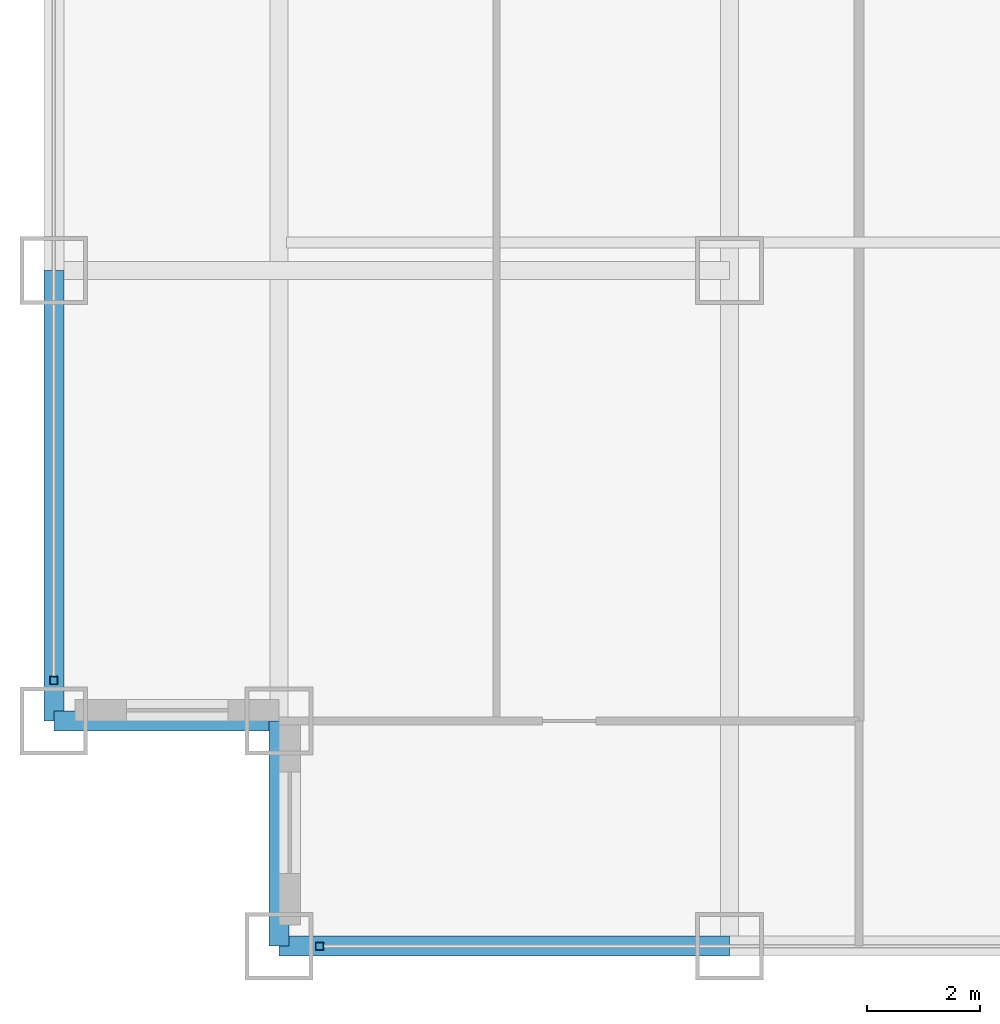
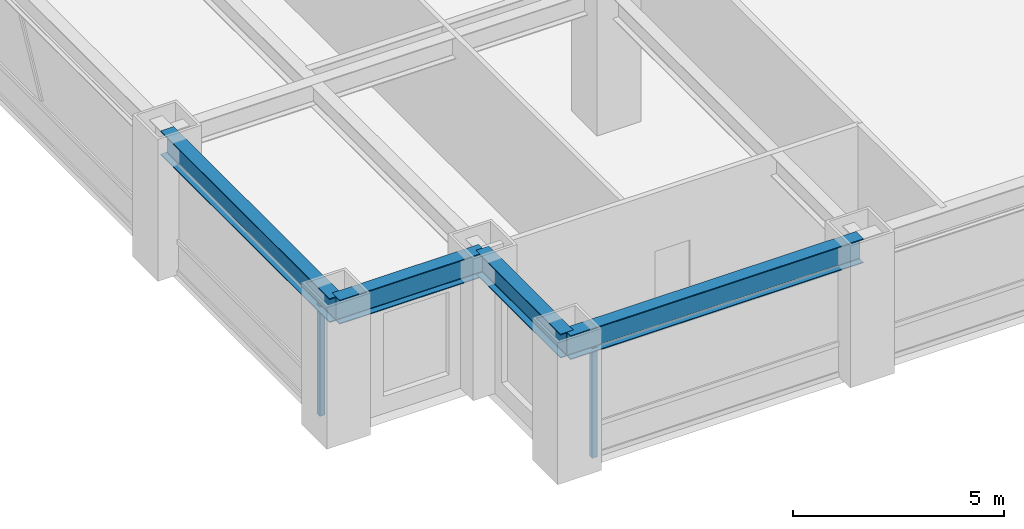
# One storey, part 2 of 27: 4 beams, 2 members, 2 elements without a shape of their own.
"""IFC4 building model written with IfcOpenShell, lengths in metres."""

from ifc_helpers import new_model, si_unit, direction, frame, origin, origin_2d, place, context, subcontext, project, spatial, hollow_rectangle, i_section, extrude, source, transform, mapped, material, material_profile, profile_set, type_object, element, aggregate, save


model = new_model("IFC4")

# Units and contexts
model_context = context("Model", 3, precision=1e-05, world=origin(), true_north=direction((0.0, 1.0)))
body_context = subcontext(model_context, "Body", "Model", "MODEL_VIEW")
ifc_project = project(units=[si_unit("LENGTHUNIT", "METRE"), si_unit("AREAUNIT", "SQUARE_METRE"), si_unit("VOLUMEUNIT", "CUBIC_METRE"), si_unit("PLANEANGLEUNIT", "RADIAN"), si_unit("MASSUNIT", "GRAM", prefix="KILO")], contexts=[model_context])

# Site, building, storey
site_placement = place(None, origin())
site = spatial("IfcSite", under=ifc_project, at=site_placement, CompositionType="ELEMENT")
building_placement = place(site_placement, origin())
building = spatial("IfcBuilding", under=site, at=building_placement, Name="Khorayat Bourse Tower", CompositionType="ELEMENT")
storey_placement = place(building_placement, frame((0.0, 0.0, 103.699951171875)))
storey = spatial("IfcBuildingStorey", under=building, at=storey_placement, Name="L23", CompositionType="ELEMENT", Elevation=103.699951171875)

# Beams
ifc_material_1 = material(Name="Steel ASTM A992 Grade 50", Category="steel")
ifc_material_profile_1 = material_profile(ifc_material_1, i_section(OverallWidth=0.35498046875, OverallDepth=0.695068359375, WebThickness=0.015380859375, FlangeThickness=0.02490234375, FilletRadius=0.01806640625, at=origin_2d()), Name="W690X217")
ifc_profile_set_1 = profile_set([ifc_material_profile_1], Name="Steel ASTM A992 Grade 50")
beam_type = type_object("IfcBeamType", Name="BM-SPAN-690", PredefinedType="SPANDREL", material=ifc_profile_set_1)
shared_shape_1 = source(origin(), body_context, "Body", "SweptSolid", [
    extrude(i_section(OverallWidth=0.35498046875, OverallDepth=0.695068359375, WebThickness=0.015380859375, FlangeThickness=0.02490234375, FilletRadius=0.01806640625, at=origin_2d()), origin(), (0.0, 0.0, 1.0), 8.0),
])
for number, where, z_axis, x_axis, name in (
    (1, (-28.0, -32.0, 3.492431640625), (1.0, 0.0, 0.0), (0.0, 1.0, 0.0), "L23 BM-SPAN-690 BM-L23-SPN-024"),
    (2, (-32.0, -28.0, 3.492431640625), (0.0, 1.0, 0.0), (-1.0, 0.0, 0.0), "L23 BM-SPAN-690 BM-L23-SPN-061"),
):
    element("IfcBeam", number, at=place(storey_placement, frame(where, z_axis=z_axis, x_axis=x_axis)), inside=storey, type_object=beam_type, Name=name, PredefinedType="SPANDREL", context=body_context, shape_type="MappedRepresentation", body=[
        mapped(shared_shape_1, transform((0.0, 0.0, 0.0), scale=1.0)),
    ])
shared_shape_2 = source(origin(), body_context, "Body", "SweptSolid", [
    extrude(i_section(OverallWidth=0.35498046875, OverallDepth=0.695068359375, WebThickness=0.015380859375, FlangeThickness=0.02490234375, FilletRadius=0.01806640625, at=origin_2d()), origin(), (0.0, 0.0, 1.0), 4.0),
])
for number, where, z_axis, x_axis, name in (
    (3, (-32.0, -28.0, 3.492431640625), (1.0, 0.0, 0.0), (0.0, 1.0, 0.0), "L23 BM-SPAN-690 BM-L23-SPN-062"),
    (4, (-28.0, -32.0, 3.492431640625), (0.0, 1.0, 0.0), (-1.0, 0.0, 0.0), "L23 BM-SPAN-690 BM-L23-SPN-063"),
):
    element("IfcBeam", number, at=place(storey_placement, frame(where, z_axis=z_axis, x_axis=x_axis)), inside=storey, type_object=beam_type, Name=name, PredefinedType="SPANDREL", context=body_context, shape_type="MappedRepresentation", body=[
        mapped(shared_shape_2, transform((0.0, 0.0, 0.0), scale=1.0)),
    ])

# Curtain wall, member
ifc_material_2 = material(Name="Aluminium EN AW-6063 T6", Category="aluminium")
curtain_wall_type = type_object("IfcCurtainWallType", Name="CW-SYS-02", PredefinedType="NOTDEFINED", material=ifc_material_2)
curtain_wall_1_placement = place(storey_placement, origin())
curtain_wall_1 = element("IfcCurtainWall", 5, at=curtain_wall_1_placement, inside=storey, type_object=curtain_wall_type, Name="L23 Curtain Wall CW-L23-S1", PredefinedType="NOTDEFINED")
ifc_material_profile_2 = material_profile(ifc_material_2, hollow_rectangle(XDim=0.139892578125, YDim=0.139892578125, WallThickness=0.006103515625, at=origin_2d()), Name="ALU 140x140x6")
ifc_profile_set_2 = profile_set([ifc_material_profile_2], Name="Aluminium EN AW-6063 T6")
member_type = type_object("IfcMemberType", Name="CWM-VERT-140", PredefinedType="MULLION", material=ifc_profile_set_2)
shared_shape_3 = source(origin(), body_context, "Body", "SweptSolid", [
    extrude(hollow_rectangle(XDim=0.139892578125, YDim=0.139892578125, WallThickness=0.006103515625, at=origin_2d()), origin(), (0.0, 0.0, 1.0), 3.18994140625),
])
member_1_placement = place(storey_placement, frame((-27.280029296875, -32.0, 0.0), z_axis=(0.0, 0.0, 1.0), x_axis=(0.0, 1.0, 0.0)))
member_1 = element("IfcMember", 6, at=member_1_placement, type_object=member_type, Name="CW-L23-S1 Vertical Mullion 1", PredefinedType="MULLION", context=body_context, shape_type="MappedRepresentation", body=[
    mapped(shared_shape_3, transform((0.0, 0.0, 0.0), scale=1.0)),
])
aggregate(curtain_wall_1, [member_1])

curtain_wall_2_placement = place(storey_placement, origin())
curtain_wall_2 = element("IfcCurtainWall", 7, at=curtain_wall_2_placement, inside=storey, type_object=curtain_wall_type, Name="L23 Curtain Wall CW-L23-W1", PredefinedType="NOTDEFINED")
member_2_placement = place(storey_placement, frame((-32.0, -27.280029296875, 0.0), z_axis=(0.0, 0.0, 1.0), x_axis=(-1.0, 0.0, 0.0)))
member_2 = element("IfcMember", 8, at=member_2_placement, type_object=member_type, Name="CW-L23-W1 Vertical Mullion 1", PredefinedType="MULLION", context=body_context, shape_type="MappedRepresentation", body=[
    mapped(shared_shape_3, transform((0.0, 0.0, 0.0), scale=1.0)),
])
aggregate(curtain_wall_2, [member_2])

save(model, "model.ifc")
